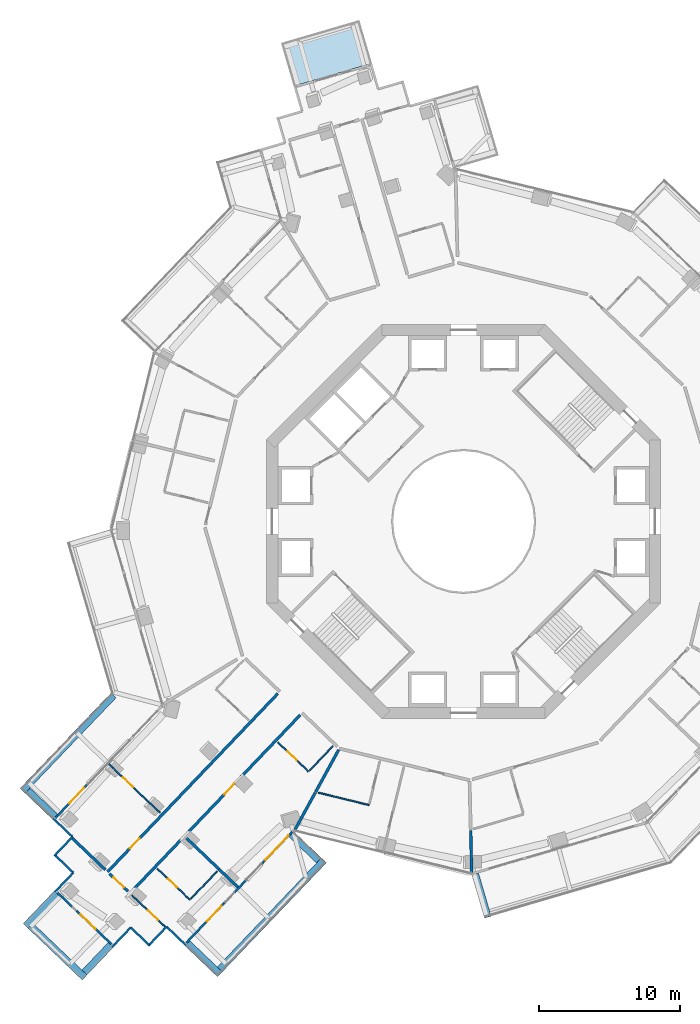
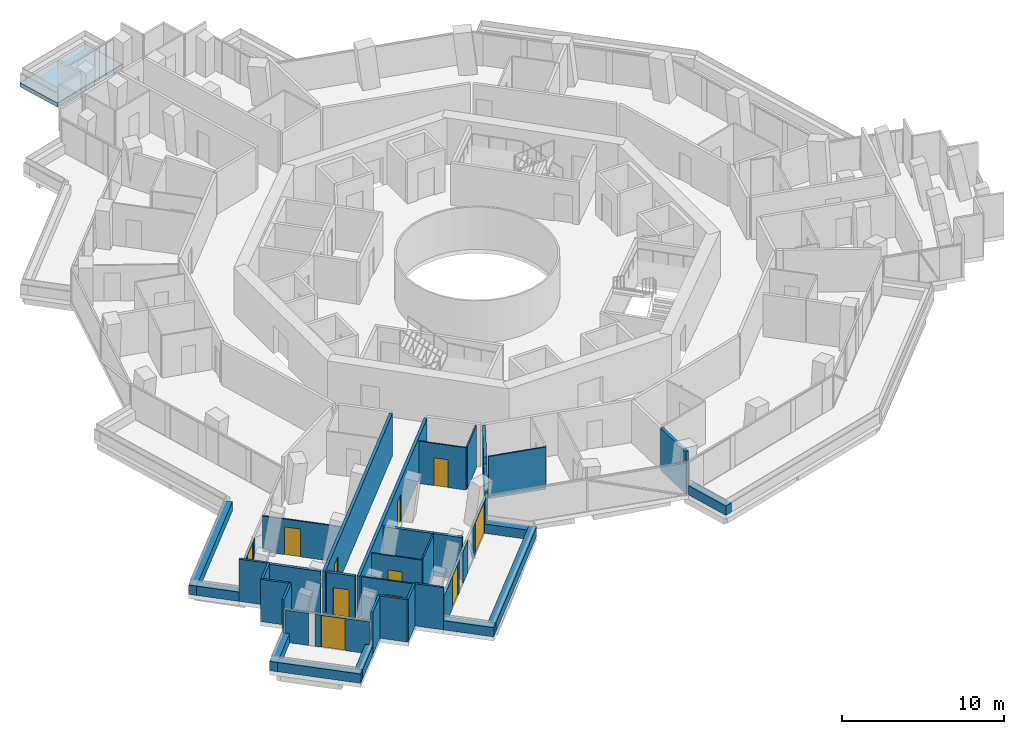
# One storey, part 17 of 25: 39 walls, 11 doors, 1 slab, 11 openings.
"""IFC4 building model written with IfcOpenShell, lengths in metres."""

import ifcopenshell
import ifcopenshell.guid

model = None  # the IFC model being written
_history = None  # IfcOwnerHistory: only IFC2X3 demands one
_inside = {}  # id of a spatial element -> (the spatial element, [elements in it])
_under = {}  # id of a project, library or spatial element -> (it, [spatial elements below it])
_declared = {}  # id of a project -> (the project, [libraries it declares])
_typed = {}  # id of a type object -> (the type object, [elements of that type])
_made_of = {}  # id of a material, layer set ... -> (it, [elements and type objects made of it])


def new_model(schema):
    """Start an empty IFC model of exactly this schema.

    Asked for "IFC4X3", IfcOpenShell would pick the latest addendum, in which some entities
    have other attributes; the version numbers below select the first issue.
    IFC2X3 requires an IfcOwnerHistory on every rooted entity: one is made here for all.
    """
    global model, _history
    if schema == "IFC4X3":
        model = ifcopenshell.file(schema_version=(4, 3, 0, 0))
    else:
        model = ifcopenshell.file(schema=schema)
    _inside.clear()
    _under.clear()
    _declared.clear()
    _typed.clear()
    _made_of.clear()
    _history = None
    if model.schema == "IFC2X3":
        org = make("IfcOrganization", Name="unknown")
        user = make(
            "IfcPersonAndOrganization",
            ThePerson=make("IfcPerson", FamilyName="unknown"),
            TheOrganization=org,
        )
        app = make(
            "IfcApplication",
            ApplicationDeveloper=org,
            Version="unknown",
            ApplicationFullName="unknown",
            ApplicationIdentifier="unknown",
        )
        _history = make(
            "IfcOwnerHistory",
            OwningUser=user,
            OwningApplication=app,
            ChangeAction="ADDED",
            CreationDate=0,
        )
    return model


def make(cls, **values):
    """One entity of the class cls with the attributes given. An attribute that is None is left unset."""
    return model.create_entity(
        cls, **{name: value for name, value in values.items() if value is not None}
    )


def rooted(cls, **values):
    """An entity with a GlobalId (a new one), such as an element, a storey or a relation."""
    return make(cls, GlobalId=ifcopenshell.guid.new(), OwnerHistory=_history, **values)


def si_unit(unit_type, name, prefix=None):
    """IfcSIUnit, for example si_unit("LENGTHUNIT", "METRE", prefix="MILLI")."""
    return make("IfcSIUnit", UnitType=unit_type, Prefix=prefix, Name=name)


def assignment(units):
    """IfcUnitAssignment: the units of a project."""
    return None if units is None else make("IfcUnitAssignment", Units=units)


def point(xyz):
    """IfcCartesianPoint."""
    return None if xyz is None else make("IfcCartesianPoint", Coordinates=xyz)


def direction(xyz):
    """IfcDirection."""
    return None if xyz is None else make("IfcDirection", DirectionRatios=xyz)


def frame(location, z_axis=None, x_axis=None):
    """IfcAxis2Placement3D, a coordinate frame: its origin and axes. An axis left out is left unset."""
    return make(
        "IfcAxis2Placement3D",
        Location=point(location),
        Axis=direction(z_axis),
        RefDirection=direction(x_axis),
    )


def frame_2d(location, x_axis=None):
    """IfcAxis2Placement2D, a coordinate frame in the plane: its origin and x axis."""
    return make(
        "IfcAxis2Placement2D", Location=point(location), RefDirection=direction(x_axis)
    )


def origin():
    """The frame at (0, 0, 0) with its axes left unset."""
    return frame((0.0, 0.0, 0.0))


def place(relative_to, where):
    """IfcLocalPlacement: puts the frame where relative to a parent placement (None: the world)."""
    return make(
        "IfcLocalPlacement", PlacementRelTo=relative_to, RelativePlacement=where
    )


def context(
    kind, dimensions, precision=None, world=None, true_north=None, identifier=None
):
    """IfcGeometricRepresentationContext, for example the 3D "Model" context."""
    return make(
        "IfcGeometricRepresentationContext",
        ContextIdentifier=identifier,
        ContextType=kind,
        CoordinateSpaceDimension=dimensions,
        Precision=precision,
        WorldCoordinateSystem=world,
        TrueNorth=true_north,
    )


def subcontext(parent, identifier, kind, view, scale=None):
    """IfcGeometricRepresentationSubContext, for example "Body" below "Model"."""
    return make(
        "IfcGeometricRepresentationSubContext",
        ContextIdentifier=identifier,
        ContextType=kind,
        ParentContext=parent,
        TargetScale=scale,
        TargetView=view,
    )


def project(units=None, contexts=None):
    """IfcProject with its units and contexts."""
    return rooted(
        "IfcProject",
        Name="project",
        RepresentationContexts=contexts,
        UnitsInContext=assignment(units),
    )


def spatial(cls, under=None, at=None, **own):
    """A site, building, storey or space (cls), placed at a placement, below another one or the project."""
    s = rooted(cls, ObjectPlacement=at, **own)
    if under is not None:
        _under.setdefault(under.id(), (under, []))[1].append(s)
    return s


def polyline(points):
    """IfcPolyline through the points."""
    return make("IfcPolyline", Points=[point(p) for p in points])


def profile(cls, at=None, kind="AREA", **sizes):
    """A parametric profile (cls). Its sizes go by their IFC names, for example OverallWidth=200.0."""
    return make(cls, ProfileType=kind, Position=at, **sizes)


def rectangle(**sizes):
    """IfcRectangleProfileDef."""
    return profile("IfcRectangleProfileDef", **sizes)


def outline(outer, holes=None, kind="AREA"):
    """IfcArbitraryClosedProfileDef: a profile drawn as a closed curve; with holes, ...WithVoids."""
    if holes is None:
        return make("IfcArbitraryClosedProfileDef", ProfileType=kind, OuterCurve=outer)
    return make(
        "IfcArbitraryProfileDefWithVoids",
        ProfileType=kind,
        OuterCurve=outer,
        InnerCurves=holes,
    )


def extrude(swept, where, along, depth):
    """IfcExtrudedAreaSolid: the profile swept, set in the frame where, extruded along a direction by depth."""
    return make(
        "IfcExtrudedAreaSolid",
        SweptArea=swept,
        Position=where,
        ExtrudedDirection=direction(along),
        Depth=depth,
    )


def shape(context_of_items, identifier, shape_type, items):
    """IfcShapeRepresentation: the items that make up one representation, for example the "Body"."""
    return make(
        "IfcShapeRepresentation",
        ContextOfItems=context_of_items,
        RepresentationIdentifier=identifier,
        RepresentationType=shape_type,
        Items=items,
    )


def material(Name=None, Category=None):
    """IfcMaterial."""
    return make("IfcMaterial", Name=Name, Category=Category)


def layer(
    of_material, thickness, ventilated=None, Name=None, Category=None, Priority=None
):
    """IfcMaterialLayer: one layer of a wall or slab, of a material (None: an air gap)."""
    return make(
        "IfcMaterialLayer",
        Material=of_material,
        LayerThickness=thickness,
        IsVentilated=ventilated,
        Name=Name,
        Category=Category,
        Priority=Priority,
    )


def layer_set(layers, Name=None):
    """IfcMaterialLayerSet."""
    return make("IfcMaterialLayerSet", MaterialLayers=layers, LayerSetName=Name)


def made_of(thing, what):
    """Note that an element or type object is made of a material, layer set ...; save() writes the relation."""
    if what is not None:
        _made_of.setdefault(what.id(), (what, []))[1].append(thing)
    return thing


def type_object(cls, material=None, **own):
    """A type object (cls), such as IfcWallType, which elements share."""
    return made_of(rooted(cls, **own), material)


def element(
    cls,
    number,
    at=None,
    inside=None,
    cuts=None,
    type_object=None,
    material=None,
    context=None,
    identifier="Body",
    shape_type=None,
    held_by="IfcProductDefinitionShape",
    body=None,
    shapes=None,
    **own,
):
    """One element of the class cls, such as IfcWall. Its Tag is "e" and its number.

    at: its placement. inside: the storey or other place that contains it. cuts: it is an
    opening in that element (IfcRelVoidsElement). A single representation is given by context,
    identifier, shape_type and body (its items); several are given by shapes. held_by: the class
    of the entity that holds the representations. save() writes the other relations.
    """
    e = rooted(cls, Tag="e%d" % number, ObjectPlacement=at, **own)
    if body is not None:
        shapes = [shape(context, identifier, shape_type, body)]
    if shapes is not None:
        e.Representation = make(held_by, Representations=shapes)
    if inside is not None:
        _inside.setdefault(inside.id(), (inside, []))[1].append(e)
    if cuts is not None:
        rooted(
            "IfcRelVoidsElement", RelatingBuildingElement=cuts, RelatedOpeningElement=e
        )
    if type_object is not None:
        _typed.setdefault(type_object.id(), (type_object, []))[1].append(e)
    return made_of(e, material)


def fill(opening, filler):
    """IfcRelFillsElement: the door or window that sits in an opening."""
    return rooted(
        "IfcRelFillsElement",
        RelatingOpeningElement=opening,
        RelatedBuildingElement=filler,
    )


def aggregate(whole, parts):
    """IfcRelAggregates: a whole, such as a stair, and the parts it consists of."""
    return rooted("IfcRelAggregates", RelatingObject=whole, RelatedObjects=parts)


def save(model, path):
    """Write the relations noted so far, then the file.

    IfcRelAggregates (storeys below a building ...), IfcRelContainedInSpatialStructure (elements
    in a storey), IfcRelDefinesByType, IfcRelAssociatesMaterial and IfcRelDeclares: one each for
    every whole, place, type object, material and project.
    """
    for whole, parts in _under.values():
        aggregate(whole, parts)
    for where, things in _inside.values():
        rooted(
            "IfcRelContainedInSpatialStructure",
            RelatedElements=things,
            RelatingStructure=where,
        )
    for kind, things in _typed.values():
        rooted("IfcRelDefinesByType", RelatedObjects=things, RelatingType=kind)
    for what, things in _made_of.values():
        rooted("IfcRelAssociatesMaterial", RelatedObjects=things, RelatingMaterial=what)
    for by, libraries in _declared.values():
        rooted("IfcRelDeclares", RelatingContext=by, RelatedDefinitions=libraries)
    model.write(path)


model = new_model("IFC4")

# Units and contexts
model_context = context("Model", 3, precision=1e-05, world=origin(), true_north=direction((0.0, 1.0)))
body_context = subcontext(model_context, "Body", "Model", "MODEL_VIEW")
ifc_project = project(units=[si_unit("LENGTHUNIT", "METRE"), si_unit("AREAUNIT", "SQUARE_METRE"), si_unit("VOLUMEUNIT", "CUBIC_METRE"), si_unit("PLANEANGLEUNIT", "RADIAN"), si_unit("MASSUNIT", "GRAM", prefix="KILO")], contexts=[model_context])

# Site, building, storey
site_placement = place(None, origin())
site = spatial("IfcSite", under=ifc_project, at=site_placement, CompositionType="ELEMENT")
building_placement = place(site_placement, origin())
building = spatial("IfcBuilding", under=site, at=building_placement, Name="Verdalira Terraces Hotel", CompositionType="ELEMENT")
storey_placement = place(building_placement, frame((0.0, 0.0, 100.0)))
storey = spatial("IfcBuildingStorey", under=building, at=storey_placement, Name="L23", CompositionType="ELEMENT", Elevation=100.0)

# Slab
ifc_material_1 = material(Name="Precast concrete C40/50", Category="concrete")
ifc_layer_1 = layer(ifc_material_1, 0.31005859375)
ifc_layer_set_1 = layer_set([ifc_layer_1], Name="Balcony deck 310")
slab_type = type_object("IfcSlabType", Name="Balcony deck 310", PredefinedType="FLOOR", material=ifc_layer_set_1)
slab_placement = place(storey_placement, frame((0.0, 0.0, -0.310059)))
element("IfcSlab", 1, at=slab_placement, inside=storey, type_object=slab_type, Name="Balcony deck", PredefinedType="FLOOR", context=body_context, shape_type="SweptSolid", body=[
    extrude(outline(polyline([(-12.974121, 33.990234), (-12.074951, 30.919189), (-6.508545, 32.549072), (-7.407715, 35.620117), (-12.974121, 33.990234)])), origin(), (0.0, 0.0, 1.0), 0.310059),
])

# Walls
ifc_material_2 = material(Name="Concrete C40", Category="concrete")
ifc_layer_2 = layer(ifc_material_2, 0.5)
ifc_layer_set_2 = layer_set([ifc_layer_2], Name="Balcony planter trough with tree")
wall_type_1 = type_object("IfcWallType", Name="Balcony planter trough with tree", PredefinedType="SOLIDWALL", material=ifc_layer_set_2)
wall_1_placement = place(storey_placement, frame((-24.86377, -12.353516, 0.0), z_axis=(0.0, 0.0, 1.0), x_axis=(-0.690631429, -0.723206907, 0.0)))
element("IfcWall", 2, at=wall_1_placement, inside=storey, type_object=wall_type_1, Name="Balcony planter", PredefinedType="SOLIDWALL", context=body_context, shape_type="SweptSolid", body=[
    extrude(rectangle(XDim=9.36084, YDim=0.5, at=frame_2d((4.68042, 0.0))), origin(), (0.0, 0.0, 1.0), 0.699951),
])
wall_2_placement = place(storey_placement, frame((-30.975098, -19.11499, 0.0), z_axis=(0.0, 0.0, 1.0), x_axis=(0.723201505, -0.690637085, 0.0)))
element("IfcWall", 3, at=wall_2_placement, inside=storey, type_object=wall_type_1, Name="Balcony planter", PredefinedType="SOLIDWALL", context=body_context, shape_type="SweptSolid", body=[
    extrude(rectangle(XDim=2.698975, YDim=0.5, at=frame_2d((1.349609, 0.0))), origin(), (0.0, 0.0, 1.0), 0.699951),
])
wall_3_placement = place(storey_placement, frame((-28.897705, -26.423828, 0.0), z_axis=(0.0, 0.0, 1.0), x_axis=(-0.690624578, -0.723213449, 0.0)))
element("IfcWall", 4, at=wall_3_placement, inside=storey, type_object=wall_type_1, Name="Balcony planter", PredefinedType="SOLIDWALL", context=body_context, shape_type="SweptSolid", body=[
    extrude(rectangle(XDim=3.198975, YDim=0.5, at=frame_2d((1.599609, 0.0))), origin(), (0.0, 0.0, 1.0), 0.699951),
])
wall_4_placement = place(storey_placement, frame((-30.753662, -28.729248, 0.0), z_axis=(0.0, 0.0, 1.0), x_axis=(0.723225851, -0.69061159, 0.0)))
element("IfcWall", 5, at=wall_4_placement, inside=storey, type_object=wall_type_1, Name="Balcony planter", PredefinedType="SOLIDWALL", context=body_context, shape_type="SweptSolid", body=[
    extrude(rectangle(XDim=5.299805, YDim=0.5, at=frame_2d((2.649902, 0.0))), origin(), (0.0, 0.0, 1.0), 0.699951),
])
wall_5_placement = place(storey_placement, frame((-26.928711, -32.036133, 0.0), z_axis=(0.0, 0.0, 1.0), x_axis=(0.690637085, 0.723201505, 0.0)))
element("IfcWall", 6, at=wall_5_placement, inside=storey, type_object=wall_type_1, Name="Balcony planter", PredefinedType="SOLIDWALL", context=body_context, shape_type="SweptSolid", body=[
    extrude(rectangle(XDim=2.698975, YDim=0.5, at=frame_2d((1.349609, 0.0))), origin(), (0.0, 0.0, 1.0), 0.699951),
])
wall_6_placement = place(storey_placement, frame((-19.620117, -29.95874, 0.0), z_axis=(0.0, 0.0, 1.0), x_axis=(0.723249848, -0.690586459, 0.0)))
element("IfcWall", 7, at=wall_6_placement, inside=storey, type_object=wall_type_1, Name="Balcony planter", PredefinedType="SOLIDWALL", context=body_context, shape_type="SweptSolid", body=[
    extrude(rectangle(XDim=3.198975, YDim=0.5, at=frame_2d((1.599609, 0.0))), origin(), (0.0, 0.0, 1.0), 0.699951),
])
wall_7_placement = place(storey_placement, frame((-17.314697, -31.814453, 0.0), z_axis=(0.0, 0.0, 1.0), x_axis=(0.690640575, 0.723198172, 0.0)))
element("IfcWall", 8, at=wall_7_placement, inside=storey, type_object=wall_type_1, Name="Balcony planter", PredefinedType="SOLIDWALL", context=body_context, shape_type="SweptSolid", body=[
    extrude(rectangle(XDim=10.708252, YDim=0.5, at=frame_2d((5.354004, 0.0))), origin(), (0.0, 0.0, 1.0), 0.699951),
])
wall_8_placement = place(storey_placement, frame((-10.272705, -24.078369, 0.0), z_axis=(0.0, 0.0, 1.0), x_axis=(-0.723201505, 0.690637085, 0.0)))
element("IfcWall", 9, at=wall_8_placement, inside=storey, type_object=wall_type_1, Name="Balcony planter", PredefinedType="SOLIDWALL", context=body_context, shape_type="SweptSolid", body=[
    extrude(rectangle(XDim=2.698975, YDim=0.5, at=frame_2d((1.349609, 0.0))), origin(), (0.0, 0.0, 1.0), 0.699951),
])
wall_9_placement = place(storey_placement, frame((0.818848, -25.038086, 0.0), z_axis=(0.0, 0.0, 1.0), x_axis=(0.281005054, -0.959706288, 0.0)))
element("IfcWall", 10, at=wall_9_placement, inside=storey, type_object=wall_type_1, Name="Balcony planter", PredefinedType="SOLIDWALL", context=body_context, shape_type="SweptSolid", body=[
    extrude(rectangle(XDim=3.198975, YDim=0.5, at=frame_2d((1.599609, 0.0))), origin(), (0.0, 0.0, 1.0), 0.699951),
])

# Wall, opening, door
ifc_material_3 = material(Name="Moisture-resistant gypsum board partition")
ifc_layer_3 = layer(ifc_material_3, 0.10009765625)
ifc_layer_set_3 = layer_set([ifc_layer_3], Name="Bathroom partition 100 mm")
wall_type_2 = type_object("IfcWallType", Name="Bathroom partition 100 mm", PredefinedType="PARTITIONING", material=ifc_layer_set_3)
wall_10_placement = place(storey_placement, frame((-23.554199, -26.547607, 0.0), z_axis=(0.0, 0.0, 1.0), x_axis=(0.723246457, -0.69059001, 0.0)))
wall_10 = element("IfcWall", 11, at=wall_10_placement, inside=storey, type_object=wall_type_2, Name="Bathroom partition", PredefinedType="PARTITIONING", context=body_context, shape_type="SweptSolid", body=[
    extrude(rectangle(XDim=3.251953, YDim=0.100098, at=frame_2d((1.625977, 0.0))), origin(), (0.0, 0.0, 1.0), 3.189941),
])
opening_1_placement = place(wall_10_placement, frame((1.550049, 0.0, 0.0)))
opening_1 = element("IfcOpeningElement", 12, at=opening_1_placement, cuts=wall_10, Name="Opening L23-117", PredefinedType="OPENING", context=body_context, shape_type="SweptSolid", body=[
    extrude(rectangle(XDim=1.0, YDim=2.100098, at=frame_2d((0.5, 1.050049))), frame((0.0, 0.060059, 0.0), z_axis=(0.0, -1.0, 0.0), x_axis=(1.0, 0.0, 0.0)), (0.0, 0.0, 1.0), 0.120117),
])
ifc_material_4 = material(Name="Timber door", Category="wood")
door_type_1 = type_object("IfcDoorType", Name="Suite internal door 1000 x 2100", OperationType="NOTDEFINED", PredefinedType="DOOR", material=ifc_material_4)
door_1_placement = place(opening_1_placement, origin())
door_1 = element("IfcDoor", 13, at=door_1_placement, inside=storey, type_object=door_type_1, Name="Suite internal door 2306", OperationType="SINGLE_SWING_LEFT", OverallHeight=2.10009765625, OverallWidth=1.0, PredefinedType="DOOR", context=body_context, shape_type="SweptSolid", body=[
    extrude(rectangle(XDim=1.0, YDim=2.100098, at=frame_2d((0.5, 1.050049))), frame((0.0, 0.024902, 0.0), z_axis=(0.0, -1.0, 0.0), x_axis=(1.0, 0.0, 0.0)), (0.0, 0.0, 1.0), 0.050049),
])
fill(opening_1, door_1)

wall_11_placement = place(storey_placement, frame((-21.755615, -24.664307, 0.0), z_axis=(0.0, 0.0, 1.0), x_axis=(0.723208297, -0.690629972, 0.0)))
wall_11 = element("IfcWall", 14, at=wall_11_placement, inside=storey, type_object=wall_type_2, Name="Bathroom partition", PredefinedType="PARTITIONING", context=body_context, shape_type="SweptSolid", body=[
    extrude(rectangle(XDim=3.199951, YDim=0.100098, at=frame_2d((1.600098, 0.0))), origin(), (0.0, 0.0, 1.0), 3.189941),
])
opening_2_placement = place(wall_11_placement, frame((1.050049, 0.0, 0.0)))
opening_2 = element("IfcOpeningElement", 15, at=opening_2_placement, cuts=wall_11, Name="Opening L23-118", PredefinedType="OPENING", context=body_context, shape_type="SweptSolid", body=[
    extrude(rectangle(XDim=0.899902, YDim=2.100098, at=frame_2d((0.449951, 1.050049))), frame((0.0, 0.060059, 0.0), z_axis=(0.0, -1.0, 0.0), x_axis=(1.0, 0.0, 0.0)), (0.0, 0.0, 1.0), 0.120117),
])
ifc_material_5 = material(Name="Timber door", Category="wood")
door_type_2 = type_object("IfcDoorType", Name="Bathroom door 900 x 2100", OperationType="NOTDEFINED", PredefinedType="DOOR", material=ifc_material_5)
door_2_placement = place(opening_2_placement, origin())
door_2 = element("IfcDoor", 16, at=door_2_placement, inside=storey, type_object=door_type_2, Name="Bathroom door 2306", OperationType="SINGLE_SWING_RIGHT", OverallHeight=2.10009765625, OverallWidth=0.89990234375, PredefinedType="DOOR", context=body_context, shape_type="SweptSolid", body=[
    extrude(rectangle(XDim=0.899902, YDim=2.100098, at=frame_2d((0.449951, 1.050049))), frame((0.0, 0.024902, 0.0), z_axis=(0.0, -1.0, 0.0), x_axis=(1.0, 0.0, 0.0)), (0.0, 0.0, 1.0), 0.050049),
])
fill(opening_2, door_2)

# Wall
wall_12_placement = place(storey_placement, frame((-19.372314, -26.802002, 0.0), z_axis=(0.0, 0.0, 1.0), x_axis=(0.690598312, 0.72323853, 0.0)))
element("IfcWall", 17, at=wall_12_placement, inside=storey, type_object=wall_type_2, Name="Bathroom partition", PredefinedType="PARTITIONING", context=body_context, shape_type="SweptSolid", body=[
    extrude(rectangle(XDim=2.700195, YDim=0.100098, at=frame_2d((1.350098, 0.0))), origin(), (0.0, 0.0, 1.0), 3.189941),
])

# Wall, opening, door
wall_13_placement = place(storey_placement, frame((-13.188965, -15.693604, 0.0), z_axis=(0.0, 0.0, 1.0), x_axis=(0.723235441, -0.690601547, 0.0)))
wall_13 = element("IfcWall", 18, at=wall_13_placement, inside=storey, type_object=wall_type_2, Name="Bathroom partition", PredefinedType="PARTITIONING", context=body_context, shape_type="SweptSolid", body=[
    extrude(rectangle(XDim=3.0, YDim=0.100098, at=frame_2d((1.5, 0.0))), origin(), (0.0, 0.0, 1.0), 3.189941),
])
opening_3_placement = place(wall_13_placement, frame((0.949951, 0.0, 0.0)))
opening_3 = element("IfcOpeningElement", 19, at=opening_3_placement, cuts=wall_13, Name="Opening L23-120", PredefinedType="OPENING", context=body_context, shape_type="SweptSolid", body=[
    extrude(rectangle(XDim=0.899902, YDim=2.100098, at=frame_2d((0.449951, 1.050049))), frame((0.0, 0.060059, 0.0), z_axis=(0.0, -1.0, 0.0), x_axis=(1.0, 0.0, 0.0)), (0.0, 0.0, 1.0), 0.120117),
])
door_3_placement = place(opening_3_placement, origin())
door_3 = element("IfcDoor", 20, at=door_3_placement, inside=storey, type_object=door_type_2, Name="Bathroom door 2307", OperationType="SINGLE_SWING_RIGHT", OverallHeight=2.10009765625, OverallWidth=0.89990234375, PredefinedType="DOOR", context=body_context, shape_type="SweptSolid", body=[
    extrude(rectangle(XDim=0.899902, YDim=2.100098, at=frame_2d((0.449951, 1.050049))), frame((0.0, 0.024902, 0.0), z_axis=(0.0, -1.0, 0.0), x_axis=(1.0, 0.0, 0.0)), (0.0, 0.0, 1.0), 0.050049),
])
fill(opening_3, door_3)

# Walls
wall_14_placement = place(storey_placement, frame((-9.292725, -15.957275, 0.0), z_axis=(0.0, 0.0, 1.0), x_axis=(-0.690591866, -0.723244685, 0.0)))
element("IfcWall", 21, at=wall_14_placement, inside=storey, type_object=wall_type_2, Name="Bathroom partition", PredefinedType="PARTITIONING", context=body_context, shape_type="SweptSolid", body=[
    extrude(rectangle(XDim=2.400146, YDim=0.100098, at=frame_2d((1.200195, 0.0))), origin(), (0.0, 0.0, 1.0), 3.189941),
])
wall_15_placement = place(storey_placement, frame((-10.311279, -19.266357, 0.0), z_axis=(0.0, 0.0, 1.0), x_axis=(0.971631999, -0.236497905, 0.0)))
element("IfcWall", 22, at=wall_15_placement, inside=storey, type_object=wall_type_2, Name="Bathroom partition", PredefinedType="PARTITIONING", context=body_context, shape_type="SweptSolid", body=[
    extrude(rectangle(XDim=3.703857, YDim=0.100098, at=frame_2d((1.852051, 0.0))), origin(), (0.0, 0.0, 1.0), 3.189941),
])

# Wall, opening, door
ifc_material_6 = material(Name="Moisture-resistant gypsum board partition")
ifc_layer_4 = layer(ifc_material_6, 0.10009765625)
ifc_layer_set_4 = layer_set([ifc_layer_4], Name="Bathroom partition 100 mm to beam soffit")
wall_type_3 = type_object("IfcWallType", Name="Bathroom partition 100 mm to beam soffit", PredefinedType="PARTITIONING", material=ifc_layer_set_4)
wall_16_placement = place(storey_placement, frame((-25.216309, -17.211182, 0.0), z_axis=(0.0, 0.0, 1.0), x_axis=(0.723187597, -0.690651649, 0.0)))
wall_16 = element("IfcWall", 23, at=wall_16_placement, inside=storey, type_object=wall_type_3, Name="Bathroom partition", PredefinedType="PARTITIONING", context=body_context, shape_type="SweptSolid", body=[
    extrude(rectangle(XDim=5.050049, YDim=0.100098, at=frame_2d((2.524902, 0.0))), origin(), (0.0, 0.0, 1.0), 2.689941),
])
opening_4_placement = place(wall_16_placement, frame((1.399902, 0.0, 0.0)))
opening_4 = element("IfcOpeningElement", 24, at=opening_4_placement, cuts=wall_16, Name="Opening L23-114", PredefinedType="OPENING", context=body_context, shape_type="SweptSolid", body=[
    extrude(rectangle(XDim=1.0, YDim=2.100098, at=frame_2d((0.5, 1.050049))), frame((0.0, 0.060059, 0.0), z_axis=(0.0, -1.0, 0.0), x_axis=(1.0, 0.0, 0.0)), (0.0, 0.0, 1.0), 0.120117),
])
door_4_placement = place(opening_4_placement, origin())
door_4 = element("IfcDoor", 25, at=door_4_placement, inside=storey, type_object=door_type_1, Name="Suite internal door 2305", OperationType="SINGLE_SWING_LEFT", OverallHeight=2.10009765625, OverallWidth=1.0, PredefinedType="DOOR", context=body_context, shape_type="SweptSolid", body=[
    extrude(rectangle(XDim=1.0, YDim=2.100098, at=frame_2d((0.5, 1.050049))), frame((0.0, 0.024902, 0.0), z_axis=(0.0, -1.0, 0.0), x_axis=(1.0, 0.0, 0.0)), (0.0, 0.0, 1.0), 0.050049),
])
fill(opening_4, door_4)

# Walls
ifc_material_7 = material(Name="Fire-rated gypsum board wall")
ifc_layer_5 = layer(ifc_material_7, 0.199951171875)
ifc_layer_set_5 = layer_set([ifc_layer_5], Name="Demising wall 200 mm")
wall_type_4 = type_object("IfcWallType", Name="Demising wall 200 mm", PredefinedType="SOLIDWALL", material=ifc_layer_set_5)
wall_17_placement = place(storey_placement, frame((-25.434326, -24.751953, 0.0), z_axis=(0.0, 0.0, 1.0), x_axis=(-0.723208962, 0.690629276, 0.0)))
element("IfcWall", 26, at=wall_17_placement, inside=storey, type_object=wall_type_4, Name="Demising wall", PredefinedType="SOLIDWALL", context=body_context, shape_type="SweptSolid", body=[
    extrude(rectangle(XDim=3.252197, YDim=0.199951, at=frame_2d((1.625977, 0.0))), origin(), (0.0, 0.0, 1.0), 3.189941),
])
wall_18_placement = place(storey_placement, frame((-19.683594, -22.494629, 0.0), z_axis=(0.0, 0.0, 1.0), x_axis=(0.723208297, -0.690629972, 0.0)))
element("IfcWall", 27, at=wall_18_placement, inside=storey, type_object=wall_type_4, Name="Demising wall", PredefinedType="SOLIDWALL", context=body_context, shape_type="SweptSolid", body=[
    extrude(rectangle(XDim=3.199951, YDim=0.199951, at=frame_2d((1.600098, 0.0))), origin(), (0.0, 0.0, 1.0), 3.189941),
])
wall_19_placement = place(storey_placement, frame((-17.369385, -24.70459, 0.0), z_axis=(0.0, 0.0, 1.0), x_axis=(0.723151792, -0.690689138, 0.0)))
element("IfcWall", 28, at=wall_19_placement, inside=storey, type_object=wall_type_4, Name="Demising wall", PredefinedType="SOLIDWALL", context=body_context, shape_type="SweptSolid", body=[
    extrude(rectangle(XDim=1.850098, YDim=0.199951, at=frame_2d((0.925049, 0.0))), origin(), (0.0, 0.0, 1.0), 3.189941),
])
wall_20_placement = place(storey_placement, frame((-8.872803, -16.219971, 0.0), z_axis=(0.0, 0.0, 1.0), x_axis=(-0.479932599, -0.877305363, 0.0)))
element("IfcWall", 29, at=wall_20_placement, inside=storey, type_object=wall_type_4, Name="Demising wall", PredefinedType="SOLIDWALL", context=body_context, shape_type="SweptSolid", body=[
    extrude(rectangle(XDim=3.418457, YDim=0.199951, at=frame_2d((1.709229, 0.0))), origin(), (0.0, 0.0, 1.0), 3.189941),
])
wall_21_placement = place(storey_placement, frame((0.505615, -21.946777, 0.0), z_axis=(0.0, 0.0, 1.0), x_axis=(0.023104437, -0.999733057, 0.0)))
element("IfcWall", 30, at=wall_21_placement, inside=storey, type_object=wall_type_4, Name="Demising wall", PredefinedType="SOLIDWALL", context=body_context, shape_type="SweptSolid", body=[
    extrude(rectangle(XDim=3.011475, YDim=0.199951, at=frame_2d((1.505859, 0.0))), origin(), (0.0, 0.0, 1.0), 3.189941),
])
ifc_material_8 = material(Name="Fire-rated gypsum board wall")
ifc_layer_6 = layer(ifc_material_8, 0.199951171875)
ifc_layer_set_6 = layer_set([ifc_layer_6], Name="Demising wall 200 mm to beam soffit")
wall_type_5 = type_object("IfcWallType", Name="Demising wall 200 mm to beam soffit", PredefinedType="SOLIDWALL", material=ifc_layer_set_6)
wall_22_placement = place(storey_placement, frame((-10.5354, -19.259521, 0.0), z_axis=(0.0, 0.0, 1.0), x_axis=(-0.47995373, -0.877293803, 0.0)))
element("IfcWall", 31, at=wall_22_placement, inside=storey, type_object=wall_type_5, Name="Demising wall", PredefinedType="SOLIDWALL", context=body_context, shape_type="SweptSolid", body=[
    extrude(rectangle(XDim=3.011475, YDim=0.199951, at=frame_2d((1.505859, 0.0))), origin(), (0.0, 0.0, 1.0), 2.689941),
])

# Wall, opening, door
ifc_material_9 = material(Name="Fire-rated gypsum board wall")
ifc_layer_7 = layer(ifc_material_9, 0.199951171875)
ifc_layer_set_7 = layer_set([ifc_layer_7], Name="Guest corridor wall 200 mm")
wall_type_6 = type_object("IfcWallType", Name="Guest corridor wall 200 mm", PredefinedType="SOLIDWALL", material=ifc_layer_set_7)
wall_23_placement = place(storey_placement, frame((-23.841797, -26.272705, 0.0), z_axis=(0.0, 0.0, 1.0), x_axis=(-0.72317713, 0.690662609, 0.0)))
wall_23 = element("IfcWall", 32, at=wall_23_placement, inside=storey, type_object=wall_type_6, Name="Guest corridor wall", PredefinedType="SOLIDWALL", context=body_context, shape_type="SweptSolid", body=[
    extrude(rectangle(XDim=1.802002, YDim=0.199951, at=frame_2d((0.900879, 0.0))), origin(), (0.0, 0.0, 1.0), 3.189941),
])
opening_5_placement = place(wall_23_placement, frame((0.399902, 0.0, 0.0)))
opening_5 = element("IfcOpeningElement", 33, at=opening_5_placement, cuts=wall_23, Name="Opening L23-116", PredefinedType="OPENING", context=body_context, shape_type="SweptSolid", body=[
    extrude(rectangle(XDim=1.0, YDim=2.100098, at=frame_2d((0.5, 1.050049))), frame((0.0, 0.109863, 0.0), z_axis=(0.0, -1.0, 0.0), x_axis=(1.0, 0.0, 0.0)), (0.0, 0.0, 1.0), 0.219971),
])
ifc_material_10 = material(Name="Timber fire door", Category="wood")
door_type_3 = type_object("IfcDoorType", Name="Guest entry door 1000 x 2100", OperationType="NOTDEFINED", PredefinedType="DOOR", material=ifc_material_10)
door_5_placement = place(opening_5_placement, origin())
door_5 = element("IfcDoor", 34, at=door_5_placement, inside=storey, type_object=door_type_3, Name="Guest entry door 2306", OperationType="SINGLE_SWING_LEFT", OverallHeight=2.10009765625, OverallWidth=1.0, PredefinedType="DOOR", context=body_context, shape_type="SweptSolid", body=[
    extrude(rectangle(XDim=1.0, YDim=2.100098, at=frame_2d((0.5, 1.050049))), frame((0.0, 0.024902, 0.0), z_axis=(0.0, -1.0, 0.0), x_axis=(1.0, 0.0, 0.0)), (0.0, 0.0, 1.0), 0.050049),
])
fill(opening_5, door_5)

wall_24_placement = place(storey_placement, frame((-25.289795, -24.889893, 0.0), z_axis=(0.0, 0.0, 1.0), x_axis=(0.690632268, 0.723206105, 0.0)))
wall_24 = element("IfcWall", 35, at=wall_24_placement, inside=storey, type_object=wall_type_6, Name="Guest corridor wall", PredefinedType="SOLIDWALL", context=body_context, shape_type="SweptSolid", body=[
    extrude(rectangle(XDim=17.508301, YDim=0.199951, at=frame_2d((8.75415, 0.0))), origin(), (0.0, 0.0, 1.0), 3.189941),
])
opening_6_placement = place(wall_24_placement, frame((2.300049, 0.0, 0.0)))
opening_6 = element("IfcOpeningElement", 36, at=opening_6_placement, cuts=wall_24, Name="Opening L23-113", PredefinedType="OPENING", context=body_context, shape_type="SweptSolid", body=[
    extrude(rectangle(XDim=1.0, YDim=2.100098, at=frame_2d((0.5, 1.050049))), frame((0.0, 0.109863, 0.0), z_axis=(0.0, -1.0, 0.0), x_axis=(1.0, 0.0, 0.0)), (0.0, 0.0, 1.0), 0.219971),
])
door_6_placement = place(opening_6_placement, origin())
door_6 = element("IfcDoor", 37, at=door_6_placement, inside=storey, type_object=door_type_3, Name="Guest entry door 2305", OperationType="SINGLE_SWING_LEFT", OverallHeight=2.10009765625, OverallWidth=1.0, PredefinedType="DOOR", context=body_context, shape_type="SweptSolid", body=[
    extrude(rectangle(XDim=1.0, YDim=2.100098, at=frame_2d((0.5, 1.050049))), frame((0.0, 0.024902, 0.0), z_axis=(0.0, -1.0, 0.0), x_axis=(1.0, 0.0, 0.0)), (0.0, 0.0, 1.0), 0.050049),
])
fill(opening_6, door_6)

wall_25_placement = place(storey_placement, frame((-11.606934, -13.747314, 0.0), z_axis=(0.0, 0.0, 1.0), x_axis=(-0.690632268, -0.723206105, 0.0)))
wall_25 = element("IfcWall", 38, at=wall_25_placement, inside=storey, type_object=wall_type_6, Name="Guest corridor wall", PredefinedType="SOLIDWALL", context=body_context, shape_type="SweptSolid", body=[
    extrude(rectangle(XDim=17.508301, YDim=0.199951, at=frame_2d((8.75415, 0.0))), origin(), (0.0, 0.0, 1.0), 3.189941),
])
opening_7_placement = place(wall_25_placement, frame((6.800049, 0.0, 0.0)))
opening_7 = element("IfcOpeningElement", 39, at=opening_7_placement, cuts=wall_25, Name="Opening L23-119", PredefinedType="OPENING", context=body_context, shape_type="SweptSolid", body=[
    extrude(rectangle(XDim=1.0, YDim=2.100098, at=frame_2d((0.5, 1.050049))), frame((0.0, 0.109863, 0.0), z_axis=(0.0, -1.0, 0.0), x_axis=(1.0, 0.0, 0.0)), (0.0, 0.0, 1.0), 0.219971),
])
door_7_placement = place(opening_7_placement, origin())
door_7 = element("IfcDoor", 40, at=door_7_placement, inside=storey, type_object=door_type_3, Name="Guest entry door 2307", OperationType="SINGLE_SWING_RIGHT", OverallHeight=2.10009765625, OverallWidth=1.0, PredefinedType="DOOR", context=body_context, shape_type="SweptSolid", body=[
    extrude(rectangle(XDim=1.0, YDim=2.100098, at=frame_2d((0.5, 1.050049))), frame((0.0, 0.024902, 0.0), z_axis=(0.0, -1.0, 0.0), x_axis=(1.0, 0.0, 0.0)), (0.0, 0.0, 1.0), 0.050049),
])
fill(opening_7, door_7)

# Walls
ifc_material_11 = material(Name="Terracotta cladding", Category="masonry")
ifc_layer_8 = layer(ifc_material_11, 0.14990234375)
ifc_layer_set_8 = layer_set([ifc_layer_8], Name="Terracotta clad wall 150")
wall_type_7 = type_object("IfcWallType", Name="Terracotta clad wall 150", PredefinedType="SOLIDWALL", material=ifc_layer_set_8)
wall_26_placement = place(storey_placement, frame((-29.143311, -21.106445, 0.0), z_axis=(0.0, 0.0, 1.0), x_axis=(0.723195892, -0.690642962, 0.0)))
element("IfcWall", 41, at=wall_26_placement, inside=storey, type_object=wall_type_7, Name="Terracotta cladding wall", PredefinedType="SOLIDWALL", context=body_context, shape_type="SweptSolid", body=[
    extrude(rectangle(XDim=1.875, YDim=0.149902, at=frame_2d((0.9375, 0.0))), origin(), (0.0, 0.0, 1.0), 3.189941),
])
wall_27_placement = place(storey_placement, frame((-27.787354, -22.401367, 0.0), z_axis=(0.0, 0.0, 1.0), x_axis=(-0.690643473, -0.723195404, 0.0)))
element("IfcWall", 42, at=wall_27_placement, inside=storey, type_object=wall_type_7, Name="Terracotta cladding wall", PredefinedType="SOLIDWALL", context=body_context, shape_type="SweptSolid", body=[
    extrude(rectangle(XDim=1.800049, YDim=0.149902, at=frame_2d((0.899902, 0.0))), origin(), (0.0, 0.0, 1.0), 3.189941),
])
for number, where, z_axis, x_axis, name in (
    (43, (-29.084717, -23.651367, 0.0), (0.0, 0.0, 1.0), (0.723195892, -0.690642962, 0.0), "Terracotta cladding wall"),
    (44, (-27.72876, -24.946289, 0.0), (0.0, 0.0, 1.0), (-0.690642962, -0.723195892, 0.0), "Terracotta cladding wall"),
):
    element("IfcWall", number, at=place(storey_placement, frame(where, z_axis=z_axis, x_axis=x_axis)), inside=storey, type_object=wall_type_7, Name=name, PredefinedType="SOLIDWALL", context=body_context, shape_type="SweptSolid", body=[
        extrude(rectangle(XDim=1.875, YDim=0.149902, at=frame_2d((0.9375, 0.0))), origin(), (0.0, 0.0, 1.0), 3.189941),
    ])
wall_28_placement = place(storey_placement, frame((-24.9375, -30.204346, 0.0), z_axis=(0.0, 0.0, 1.0), x_axis=(0.690577929, 0.723257993, 0.0)))
element("IfcWall", 45, at=wall_28_placement, inside=storey, type_object=wall_type_7, Name="Terracotta cladding wall", PredefinedType="SOLIDWALL", context=body_context, shape_type="SweptSolid", body=[
    extrude(rectangle(XDim=1.875244, YDim=0.149902, at=frame_2d((0.9375, 0.0))), origin(), (0.0, 0.0, 1.0), 3.189941),
])
wall_29_placement = place(storey_placement, frame((-23.642578, -28.848145, 0.0), z_axis=(0.0, 0.0, 1.0), x_axis=(0.723195404, -0.690643473, 0.0)))
element("IfcWall", 46, at=wall_29_placement, inside=storey, type_object=wall_type_7, Name="Terracotta cladding wall", PredefinedType="SOLIDWALL", context=body_context, shape_type="SweptSolid", body=[
    extrude(rectangle(XDim=1.800049, YDim=0.149902, at=frame_2d((0.899902, 0.0))), origin(), (0.0, 0.0, 1.0), 3.189941),
])
for number, where, z_axis, x_axis, name in (
    (47, (-22.392578, -30.145508, 0.0), (0.0, 0.0, 1.0), (0.690642962, 0.723195892, 0.0), "Terracotta cladding wall"),
    (48, (-21.097656, -28.789551, 0.0), (0.0, 0.0, 1.0), (0.723195892, -0.690642962, 0.0), "Terracotta cladding wall"),
):
    element("IfcWall", number, at=place(storey_placement, frame(where, z_axis=z_axis, x_axis=x_axis)), inside=storey, type_object=wall_type_7, Name=name, PredefinedType="SOLIDWALL", context=body_context, shape_type="SweptSolid", body=[
        extrude(rectangle(XDim=1.875, YDim=0.149902, at=frame_2d((0.9375, 0.0))), origin(), (0.0, 0.0, 1.0), 3.189941),
    ])
ifc_material_12 = material(Name="Terracotta cladding", Category="masonry")
ifc_layer_9 = layer(ifc_material_12, 0.14990234375)
ifc_layer_set_9 = layer_set([ifc_layer_9], Name="Terracotta column pier 150")
wall_type_8 = type_object("IfcWallType", Name="Terracotta column pier 150", PredefinedType="SOLIDWALL", material=ifc_layer_set_9)
wall_30_placement = place(storey_placement, frame((-28.859619, -26.35498, 0.0), z_axis=(0.0, 0.0, 1.0), x_axis=(0.72318713, -0.690652138, 0.0)))
element("IfcWall", 49, at=wall_30_placement, inside=storey, type_object=wall_type_8, Name="Terracotta column pier", PredefinedType="SOLIDWALL", context=body_context, shape_type="SweptSolid", body=[
    extrude(rectangle(XDim=1.448242, YDim=0.149902, at=frame_2d((0.724121, 0.0))), origin(), (0.0, 0.0, 1.0), 2.425049),
])
wall_31_placement = place(storey_placement, frame((-16.288086, -26.359375, 0.0), z_axis=(0.0, 0.0, 1.0), x_axis=(0.690629767, 0.723208494, 0.0)))
element("IfcWall", 50, at=wall_31_placement, inside=storey, type_object=wall_type_8, Name="Terracotta column pier", PredefinedType="SOLIDWALL", context=body_context, shape_type="SweptSolid", body=[
    extrude(rectangle(XDim=1.243896, YDim=0.149902, at=frame_2d((0.62207, 0.0))), origin(), (0.0, 0.0, 1.0), 2.425049),
])

# Wall, opening, door
ifc_material_13 = material(Name="Terracotta cladding", Category="masonry")
ifc_layer_10 = layer(ifc_material_13, 0.14990234375)
ifc_layer_set_10 = layer_set([ifc_layer_10], Name="Terracotta door pier 150")
wall_type_9 = type_object("IfcWallType", Name="Terracotta door pier 150", PredefinedType="SOLIDWALL", material=ifc_layer_set_10)
wall_32_placement = place(storey_placement, frame((-26.694336, -18.650635, 0.0), z_axis=(0.0, 0.0, 1.0), x_axis=(-0.690680204, -0.723160325, 0.0)))
wall_32 = element("IfcWall", 51, at=wall_32_placement, inside=storey, type_object=wall_type_9, Name="Terracotta door pier", PredefinedType="SOLIDWALL", context=body_context, shape_type="SweptSolid", body=[
    extrude(rectangle(XDim=3.322266, YDim=0.149902, at=frame_2d((1.661133, 0.0))), origin(), (0.0, 0.0, 1.0), 2.425049),
])
opening_8_placement = place(wall_32_placement, frame((0.399902, 0.0, 0.0)))
opening_8 = element("IfcOpeningElement", 52, at=opening_8_placement, cuts=wall_32, Name="Opening L23-B09", PredefinedType="OPENING", context=body_context, shape_type="SweptSolid", body=[
    extrude(rectangle(XDim=1.5, YDim=2.399902, at=frame_2d((0.75, 1.199951))), frame((0.0, 0.084961, 0.0), z_axis=(0.0, -1.0, 0.0), x_axis=(1.0, 0.0, 0.0)), (0.0, 0.0, 1.0), 0.169922),
])
ifc_material_14 = material(Name="Clear glass", Category="glass")
door_type_4 = type_object("IfcDoorType", Name="Balcony sliding door 1500x2400", OperationType="NOTDEFINED", PredefinedType="DOOR", material=ifc_material_14)
door_8_placement = place(opening_8_placement, origin())
door_8 = element("IfcDoor", 53, at=door_8_placement, inside=storey, type_object=door_type_4, Name="Balcony sliding door", OperationType="SLIDING_TO_RIGHT", OverallHeight=2.39990234375, OverallWidth=1.5, PredefinedType="DOOR", context=body_context, shape_type="SweptSolid", body=[
    extrude(rectangle(XDim=1.5, YDim=2.399902, at=frame_2d((0.75, 1.199951))), frame((0.0, 0.024902, 0.0), z_axis=(0.0, -1.0, 0.0), x_axis=(1.0, 0.0, 0.0)), (0.0, 0.0, 1.0), 0.050049),
])
fill(opening_8, door_8)

wall_33_placement = place(storey_placement, frame((-27.507324, -27.646484, 0.0), z_axis=(0.0, 0.0, 1.0), x_axis=(0.723206978, -0.690631354, 0.0)))
wall_33 = element("IfcWall", 54, at=wall_33_placement, inside=storey, type_object=wall_type_9, Name="Terracotta door pier", PredefinedType="SOLIDWALL", context=body_context, shape_type="SweptSolid", body=[
    extrude(rectangle(XDim=3.469971, YDim=0.149902, at=frame_2d((1.734863, 0.0))), origin(), (0.0, 0.0, 1.0), 2.425049),
])
opening_9_placement = place(wall_33_placement, frame((0.399902, 0.0, 0.0)))
opening_9 = element("IfcOpeningElement", 55, at=opening_9_placement, cuts=wall_33, Name="Opening L23-B10", PredefinedType="OPENING", context=body_context, shape_type="SweptSolid", body=[
    extrude(rectangle(XDim=1.5, YDim=2.399902, at=frame_2d((0.75, 1.199951))), frame((0.0, 0.084961, 0.0), z_axis=(0.0, -1.0, 0.0), x_axis=(1.0, 0.0, 0.0)), (0.0, 0.0, 1.0), 0.169922),
])
door_9_placement = place(opening_9_placement, origin())
door_9 = element("IfcDoor", 56, at=door_9_placement, inside=storey, type_object=door_type_4, Name="Balcony sliding door", OperationType="SLIDING_TO_RIGHT", OverallHeight=2.39990234375, OverallWidth=1.5, PredefinedType="DOOR", context=body_context, shape_type="SweptSolid", body=[
    extrude(rectangle(XDim=1.5, YDim=2.399902, at=frame_2d((0.75, 1.199951))), frame((0.0, 0.024902, 0.0), z_axis=(0.0, -1.0, 0.0), x_axis=(1.0, 0.0, 0.0)), (0.0, 0.0, 1.0), 0.050049),
])
fill(opening_9, door_9)

wall_34_placement = place(storey_placement, frame((-19.695801, -29.927979, 0.0), z_axis=(0.0, 0.0, 1.0), x_axis=(0.690637861, 0.723200764, 0.0)))
wall_34 = element("IfcWall", 57, at=wall_34_placement, inside=storey, type_object=wall_type_9, Name="Terracotta door pier", PredefinedType="SOLIDWALL", context=body_context, shape_type="SweptSolid", body=[
    extrude(rectangle(XDim=4.01123, YDim=0.149902, at=frame_2d((2.005615, 0.0))), origin(), (0.0, 0.0, 1.0), 2.425049),
])
opening_10_placement = place(wall_34_placement, frame((2.111084, 0.0, 0.0)))
opening_10 = element("IfcOpeningElement", 58, at=opening_10_placement, cuts=wall_34, Name="Opening L23-B11", PredefinedType="OPENING", context=body_context, shape_type="SweptSolid", body=[
    extrude(rectangle(XDim=1.5, YDim=2.399902, at=frame_2d((0.75, 1.199951))), frame((0.0, 0.084961, 0.0), z_axis=(0.0, -1.0, 0.0), x_axis=(1.0, 0.0, 0.0)), (0.0, 0.0, 1.0), 0.169922),
])
door_10_placement = place(opening_10_placement, origin())
door_10 = element("IfcDoor", 59, at=door_10_placement, inside=storey, type_object=door_type_4, Name="Balcony sliding door", OperationType="SLIDING_TO_LEFT", OverallHeight=2.39990234375, OverallWidth=1.5, PredefinedType="DOOR", context=body_context, shape_type="SweptSolid", body=[
    extrude(rectangle(XDim=1.5, YDim=2.399902, at=frame_2d((0.75, 1.199951))), frame((0.0, 0.024902, 0.0), z_axis=(0.0, -1.0, 0.0), x_axis=(1.0, 0.0, 0.0)), (0.0, 0.0, 1.0), 0.050049),
])
fill(opening_10, door_10)

wall_35_placement = place(storey_placement, frame((-14.365234, -24.345947, 0.0), z_axis=(0.0, 0.0, 1.0), x_axis=(0.690629972, 0.723208297, 0.0)))
wall_35 = element("IfcWall", 60, at=wall_35_placement, inside=storey, type_object=wall_type_9, Name="Terracotta door pier", PredefinedType="SOLIDWALL", context=body_context, shape_type="SweptSolid", body=[
    extrude(rectangle(XDim=3.199951, YDim=0.149902, at=frame_2d((1.600098, 0.0))), origin(), (0.0, 0.0, 1.0), 2.425049),
])
opening_11_placement = place(wall_35_placement, frame((0.399902, 0.0, 0.0)))
opening_11 = element("IfcOpeningElement", 61, at=opening_11_placement, cuts=wall_35, Name="Opening L23-B12", PredefinedType="OPENING", context=body_context, shape_type="SweptSolid", body=[
    extrude(rectangle(XDim=2.399902, YDim=2.399902, at=frame_2d((1.199951, 1.199951))), frame((0.0, 0.084961, 0.0), z_axis=(0.0, -1.0, 0.0), x_axis=(1.0, 0.0, 0.0)), (0.0, 0.0, 1.0), 0.169922),
])
ifc_material_15 = material(Name="Clear glass", Category="glass")
door_type_5 = type_object("IfcDoorType", Name="Balcony sliding door 2400x2400", OperationType="NOTDEFINED", PredefinedType="DOOR", material=ifc_material_15)
door_11_placement = place(opening_11_placement, origin())
door_11 = element("IfcDoor", 62, at=door_11_placement, inside=storey, type_object=door_type_5, Name="Balcony sliding door", OperationType="SLIDING_TO_RIGHT", OverallHeight=2.39990234375, OverallWidth=2.39990234375, PredefinedType="DOOR", context=body_context, shape_type="SweptSolid", body=[
    extrude(rectangle(XDim=2.399902, YDim=2.399902, at=frame_2d((1.199951, 1.199951))), frame((0.0, 0.024902, 0.0), z_axis=(0.0, -1.0, 0.0), x_axis=(1.0, 0.0, 0.0)), (0.0, 0.0, 1.0), 0.050049),
])
fill(opening_11, door_11)

save(model, "model.ifc")
